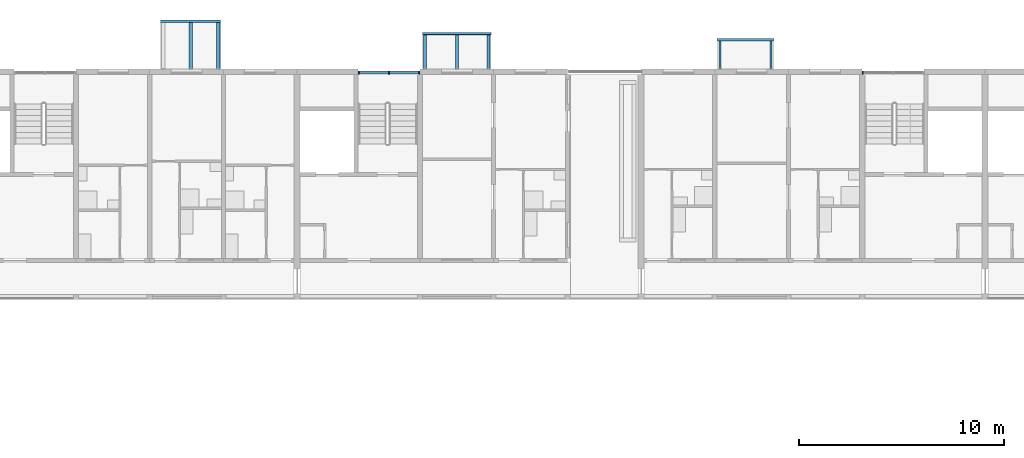
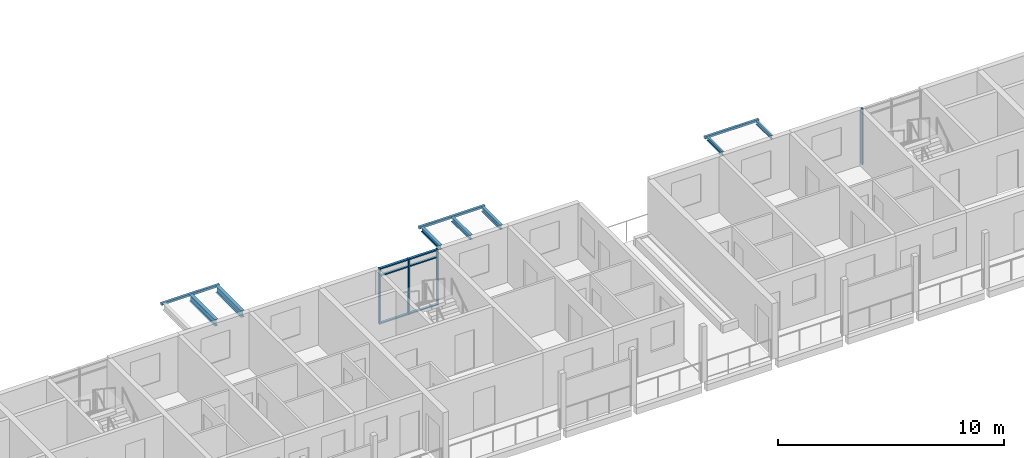
# One storey, part 21 of 94: 10 beams, 10 members, 2 elements without a shape of their own.
"""IFC4 building model written with IfcOpenShell, lengths in metres."""

from ifc_helpers import new_model, si_unit, direction, frame, origin, origin_2d, place, context, subcontext, project, spatial, rectangle, hollow_rectangle, i_section, extrude, material, material_profile, profile_set, type_object, element, aggregate, save


model = new_model("IFC4")

# Units and contexts
model_context = context("Model", 3, precision=1e-05, world=origin(), true_north=direction((0.0, 1.0)))
body_context = subcontext(model_context, "Body", "Model", "MODEL_VIEW")
ifc_project = project(units=[si_unit("LENGTHUNIT", "METRE"), si_unit("AREAUNIT", "SQUARE_METRE"), si_unit("VOLUMEUNIT", "CUBIC_METRE"), si_unit("PLANEANGLEUNIT", "RADIAN"), si_unit("MASSUNIT", "GRAM", prefix="KILO")], contexts=[model_context])

# Site, building, storey
site_placement = place(None, origin())
site = spatial("IfcSite", under=ifc_project, at=site_placement, CompositionType="ELEMENT")
building_placement = place(site_placement, origin())
building = spatial("IfcBuilding", under=site, at=building_placement, Name="Ridgestep Commons", CompositionType="ELEMENT")
storey_placement = place(building_placement, frame((0.0, 0.0, 21.0)))
storey = spatial("IfcBuildingStorey", under=building, at=storey_placement, Name="L07", CompositionType="ELEMENT", Elevation=21.0)

# Curtain wall, members
ifc_material_1 = material(Name="Aluminium 6063-T6 and glass", Category="aluminium")
curtain_wall_type = type_object("IfcCurtainWallType", Name="Curtain wall stair strip", PredefinedType="NOTDEFINED", material=ifc_material_1)
curtain_wall_1_placement = place(storey_placement, origin())
curtain_wall_1 = element("IfcCurtainWall", 1, at=curtain_wall_1_placement, inside=storey, type_object=curtain_wall_type, Name="Curtain wall C4C level 07", PredefinedType="NOTDEFINED")
ifc_material_2 = material(Name="Aluminium 6063-T6", Category="aluminium")
ifc_material_profile_1 = material_profile(ifc_material_2, rectangle(XDim=0.159912109375, YDim=0.06005859375, at=origin_2d()), Name="Mullion 60 x 160")
ifc_profile_set_1 = profile_set([ifc_material_profile_1], Name="Aluminium 6063-T6")
member_type_1 = type_object("IfcMemberType", Name="Mullion 60 x 160", PredefinedType="MULLION", material=ifc_profile_set_1)
member_1_placement = place(storey_placement, frame((200.205078125, 77.080078125, 0.0), z_axis=(0.0, 0.0, 1.0), x_axis=(0.0, 1.0, 0.0)))
member_1 = element("IfcMember", 2, at=member_1_placement, type_object=member_type_1, Name="CW1 mullion 1", PredefinedType="MULLION", context=body_context, shape_type="SweptSolid", body=[
    extrude(rectangle(XDim=0.159912109375, YDim=0.06005859375, at=origin_2d()), origin(), (0.0, 0.0, 1.0), 3.0),
])
member_2_placement = place(storey_placement, frame((201.6875, 77.080078125, 0.0), z_axis=(0.0, 0.0, 1.0), x_axis=(0.0, 1.0, 0.0)))
member_2 = element("IfcMember", 3, at=member_2_placement, type_object=member_type_1, Name="CW1 mullion 2", PredefinedType="MULLION", context=body_context, shape_type="SweptSolid", body=[
    extrude(rectangle(XDim=0.159912109375, YDim=0.06005859375, at=origin_2d()), origin(), (0.0, 0.0, 1.0), 3.0),
])
member_3_placement = place(storey_placement, frame((203.169921875, 77.080078125, 0.0), z_axis=(0.0, 0.0, 1.0), x_axis=(0.0, 1.0, 0.0)))
member_3 = element("IfcMember", 4, at=member_3_placement, type_object=member_type_1, Name="CW1 mullion 3", PredefinedType="MULLION", context=body_context, shape_type="SweptSolid", body=[
    extrude(rectangle(XDim=0.159912109375, YDim=0.06005859375, at=origin_2d()), origin(), (0.0, 0.0, 1.0), 3.0),
])

# Curtain wall, member
curtain_wall_2_placement = place(storey_placement, origin())
curtain_wall_2 = element("IfcCurtainWall", 5, at=curtain_wall_2_placement, inside=storey, type_object=curtain_wall_type, Name="Curtain wall C5C level 07", PredefinedType="NOTDEFINED")
member_4_placement = place(storey_placement, frame((224.830078125, 77.080078125, 0.0), z_axis=(0.0, 0.0, 1.0), x_axis=(0.0, 1.0, 0.0)))
member_4 = element("IfcMember", 6, at=member_4_placement, type_object=member_type_1, Name="CW1 mullion 1", PredefinedType="MULLION", context=body_context, shape_type="SweptSolid", body=[
    extrude(rectangle(XDim=0.159912109375, YDim=0.06005859375, at=origin_2d()), origin(), (0.0, 0.0, 1.0), 3.0),
])
aggregate(curtain_wall_2, [member_4])

# Member
ifc_material_3 = material(Name="Aluminium 6063-T6", Category="aluminium")
ifc_material_profile_2 = material_profile(ifc_material_3, rectangle(XDim=0.1201171875, YDim=0.06005859375, at=origin_2d()), Name="Transom 60 x 120")
ifc_profile_set_2 = profile_set([ifc_material_profile_2], Name="Aluminium 6063-T6")
member_type_2 = type_object("IfcMemberType", Name="Transom 60 x 120", PredefinedType="USERDEFINED", material=ifc_profile_set_2)
member_5_placement = place(storey_placement, frame((200.235107421875, 77.080078125, 0.030029296875), z_axis=(1.0, 0.0, 0.0), x_axis=(0.0, 1.0, 0.0)))
member_5 = element("IfcMember", 7, at=member_5_placement, type_object=member_type_2, Name="CW1 transom 1.1", ObjectType="TRANSOM", PredefinedType="USERDEFINED", context=body_context, shape_type="SweptSolid", body=[
    extrude(rectangle(XDim=0.1201171875, YDim=0.06005859375, at=origin_2d()), origin(), (0.0, 0.0, 1.0), 1.42236328125),
])

member_6_placement = place(storey_placement, frame((200.235107421875, 77.080078125, 2.590087890625), z_axis=(1.0, 0.0, 0.0), x_axis=(0.0, 1.0, 0.0)))
member_6 = element("IfcMember", 8, at=member_6_placement, type_object=member_type_2, Name="CW1 transom 1.2", ObjectType="TRANSOM", PredefinedType="USERDEFINED", context=body_context, shape_type="SweptSolid", body=[
    extrude(rectangle(XDim=0.1201171875, YDim=0.06005859375, at=origin_2d()), origin(), (0.0, 0.0, 1.0), 1.42236328125),
])

member_7_placement = place(storey_placement, frame((200.235107421875, 77.080078125, 2.969970703125), z_axis=(1.0, 0.0, 0.0), x_axis=(0.0, 1.0, 0.0)))
member_7 = element("IfcMember", 9, at=member_7_placement, type_object=member_type_2, Name="CW1 transom 1.3", ObjectType="TRANSOM", PredefinedType="USERDEFINED", context=body_context, shape_type="SweptSolid", body=[
    extrude(rectangle(XDim=0.1201171875, YDim=0.06005859375, at=origin_2d()), origin(), (0.0, 0.0, 1.0), 1.42236328125),
])

member_8_placement = place(storey_placement, frame((201.717529296875, 77.080078125, 0.030029296875), z_axis=(1.0, 0.0, 0.0), x_axis=(0.0, 1.0, 0.0)))
member_8 = element("IfcMember", 10, at=member_8_placement, type_object=member_type_2, Name="CW1 transom 2.1", ObjectType="TRANSOM", PredefinedType="USERDEFINED", context=body_context, shape_type="SweptSolid", body=[
    extrude(rectangle(XDim=0.1201171875, YDim=0.06005859375, at=origin_2d()), origin(), (0.0, 0.0, 1.0), 1.42236328125),
])

member_9_placement = place(storey_placement, frame((201.717529296875, 77.080078125, 2.590087890625), z_axis=(1.0, 0.0, 0.0), x_axis=(0.0, 1.0, 0.0)))
member_9 = element("IfcMember", 11, at=member_9_placement, type_object=member_type_2, Name="CW1 transom 2.2", ObjectType="TRANSOM", PredefinedType="USERDEFINED", context=body_context, shape_type="SweptSolid", body=[
    extrude(rectangle(XDim=0.1201171875, YDim=0.06005859375, at=origin_2d()), origin(), (0.0, 0.0, 1.0), 1.42236328125),
])

member_10_placement = place(storey_placement, frame((201.717529296875, 77.080078125, 2.969970703125), z_axis=(1.0, 0.0, 0.0), x_axis=(0.0, 1.0, 0.0)))
member_10 = element("IfcMember", 12, at=member_10_placement, type_object=member_type_2, Name="CW1 transom 2.3", ObjectType="TRANSOM", PredefinedType="USERDEFINED", context=body_context, shape_type="SweptSolid", body=[
    extrude(rectangle(XDim=0.1201171875, YDim=0.06005859375, at=origin_2d()), origin(), (0.0, 0.0, 1.0), 1.42236328125),
])

aggregate(curtain_wall_1, [member_1, member_2, member_3, member_5, member_6, member_7, member_8, member_9, member_10])

# Beams
ifc_material_4 = material(Name="Weathering steel S355J2W", Category="steel")
ifc_material_profile_3 = material_profile(ifc_material_4, i_section(OverallWidth=0.101806640625, OverallDepth=0.203125, WebThickness=0.00537109375, FlangeThickness=0.00927734375, FilletRadius=0.007568359375, at=origin_2d()), Name="UB 203x102x23")
ifc_profile_set_3 = profile_set([ifc_material_profile_3], Name="Weathering steel S355J2W")
beam_type_1 = type_object("IfcBeamType", Name="Tray arm UB 203x102x23", PredefinedType="BEAM", material=ifc_profile_set_3)
for number, where, z_axis, x_axis, name in (
    (13, (217.85009765625, 77.264892578125, 2.888427734375), (0.0, 1.0, 0.0), (-1.0, 0.0, 0.0), "Tray arm C5T2-08.1"),
    (14, (220.35009765625, 77.264892578125, 2.888427734375), (0.0, 1.0, 0.0), (-1.0, 0.0, 0.0), "Tray arm C5T2-08.2"),
):
    element("IfcBeam", number, at=place(storey_placement, frame(where, z_axis=z_axis, x_axis=x_axis)), inside=storey, type_object=beam_type_1, Name=name, PredefinedType="BEAM", context=body_context, shape_type="SweptSolid", body=[
        extrude(i_section(OverallWidth=0.101806640625, OverallDepth=0.203125, WebThickness=0.00537109375, FlangeThickness=0.00927734375, FilletRadius=0.007568359375, at=origin_2d()), origin(), (0.0, 0.0, 1.0), 1.364990234375),
    ])
ifc_material_5 = material(Name="Weathering steel S355J2W", Category="steel")
ifc_material_profile_4 = material_profile(ifc_material_5, i_section(OverallWidth=0.14599609375, OverallDepth=0.25146484375, WebThickness=0.006103515625, FlangeThickness=0.008544921875, FilletRadius=0.007568359375, at=origin_2d()), Name="UB 254x146x31")
ifc_profile_set_4 = profile_set([ifc_material_profile_4], Name="Weathering steel S355J2W")
beam_type_2 = type_object("IfcBeamType", Name="Tray arm UB 254x146x31", PredefinedType="BEAM", material=ifc_profile_set_4)
for number, where, z_axis, x_axis, name in (
    (15, (203.449951171875, 77.264892578125, 2.8642578125), (0.0, 1.0, 0.0), (-1.0, 0.0, 0.0), "Tray arm C4T3-08.1"),
    (16, (205.0, 77.264892578125, 2.8642578125), (0.0, 1.0, 0.0), (-1.0, 0.0, 0.0), "Tray arm C4T3-08.2"),
    (17, (206.550048828125, 77.264892578125, 2.8642578125), (0.0, 1.0, 0.0), (-1.0, 0.0, 0.0), "Tray arm C4T3-08.3"),
):
    element("IfcBeam", number, at=place(storey_placement, frame(where, z_axis=z_axis, x_axis=x_axis)), inside=storey, type_object=beam_type_2, Name=name, PredefinedType="BEAM", context=body_context, shape_type="SweptSolid", body=[
        extrude(i_section(OverallWidth=0.14599609375, OverallDepth=0.25146484375, WebThickness=0.006103515625, FlangeThickness=0.008544921875, FilletRadius=0.007568359375, at=origin_2d()), origin(), (0.0, 0.0, 1.0), 1.6650390625),
    ])
ifc_material_6 = material(Name="Weathering steel S355J2W", Category="steel")
ifc_material_profile_5 = material_profile(ifc_material_6, i_section(OverallWidth=0.171142578125, OverallDepth=0.351318359375, WebThickness=0.007080078125, FlangeThickness=0.009765625, FilletRadius=0.01025390625, at=origin_2d()), Name="UB 356x171x45")
ifc_profile_set_5 = profile_set([ifc_material_profile_5], Name="Weathering steel S355J2W")
beam_type_3 = type_object("IfcBeamType", Name="Tray arm UB 356x171x45", PredefinedType="BEAM", material=ifc_profile_set_5)
for number, where, z_axis, x_axis, name in (
    (18, (192.0, 77.264892578125, 2.814208984375), (0.0, 1.0, 0.0), (-1.0, 0.0, 0.0), "Tray arm C3T2-08.2"),
    (19, (193.35009765625, 77.264892578125, 2.814208984375), (0.0, 1.0, 0.0), (-1.0, 0.0, 0.0), "Tray arm C3T2-08.3"),
):
    element("IfcBeam", number, at=place(storey_placement, frame(where, z_axis=z_axis, x_axis=x_axis)), inside=storey, type_object=beam_type_3, Name=name, PredefinedType="BEAM", context=body_context, shape_type="SweptSolid", body=[
        extrude(i_section(OverallWidth=0.171142578125, OverallDepth=0.351318359375, WebThickness=0.007080078125, FlangeThickness=0.009765625, FilletRadius=0.01025390625, at=origin_2d()), origin(), (0.0, 0.0, 1.0), 2.26513671875),
    ])
ifc_material_7 = material(Name="Weathering steel S355J2W", Category="steel")
ifc_material_profile_6 = material_profile(ifc_material_7, hollow_rectangle(XDim=0.1201171875, YDim=0.1201171875, WallThickness=0.00634765625, InnerFilletRadius=0.00634765625, OuterFilletRadius=0.009521484375, at=origin_2d()), Name="SHS 120x120x6.3")
ifc_profile_set_6 = profile_set([ifc_material_profile_6], Name="Weathering steel S355J2W")
beam_type_4 = type_object("IfcBeamType", Name="Tray edge member SHS 120x120x6.3", PredefinedType="BEAM", material=ifc_profile_set_6)
beam_1_placement = place(storey_placement, frame((190.530029296875, 79.590087890625, 2.929931640625), z_axis=(1.0, 0.0, 0.0), x_axis=(0.0, 0.0, 1.0)))
element("IfcBeam", 20, at=beam_1_placement, inside=storey, type_object=beam_type_4, Name="Tray edge member C3T2-08", PredefinedType="BEAM", context=body_context, shape_type="SweptSolid", body=[
    extrude(hollow_rectangle(XDim=0.1201171875, YDim=0.1201171875, WallThickness=0.00634765625, InnerFilletRadius=0.00634765625, OuterFilletRadius=0.009521484375, at=origin_2d()), origin(), (0.0, 0.0, 1.0), 2.93994140625),
])
beam_2_placement = place(storey_placement, frame((217.72998046875, 78.68994140625, 2.929931640625), z_axis=(1.0, 0.0, 0.0), x_axis=(0.0, 0.0, 1.0)))
element("IfcBeam", 21, at=beam_2_placement, inside=storey, type_object=beam_type_4, Name="Tray edge member C5T2-08", PredefinedType="BEAM", context=body_context, shape_type="SweptSolid", body=[
    extrude(hollow_rectangle(XDim=0.1201171875, YDim=0.1201171875, WallThickness=0.00634765625, InnerFilletRadius=0.00634765625, OuterFilletRadius=0.009521484375, at=origin_2d()), origin(), (0.0, 0.0, 1.0), 2.739990234375),
])
beam_3_placement = place(storey_placement, frame((203.330078125, 78.989990234375, 2.929931640625), z_axis=(1.0, 0.0, 0.0), x_axis=(0.0, 0.0, 1.0)))
element("IfcBeam", 22, at=beam_3_placement, inside=storey, type_object=beam_type_4, Name="Tray edge member C4T3-08", PredefinedType="BEAM", context=body_context, shape_type="SweptSolid", body=[
    extrude(hollow_rectangle(XDim=0.1201171875, YDim=0.1201171875, WallThickness=0.00634765625, InnerFilletRadius=0.00634765625, OuterFilletRadius=0.009521484375, at=origin_2d()), origin(), (0.0, 0.0, 1.0), 3.33984375),
])

save(model, "model.ifc")
